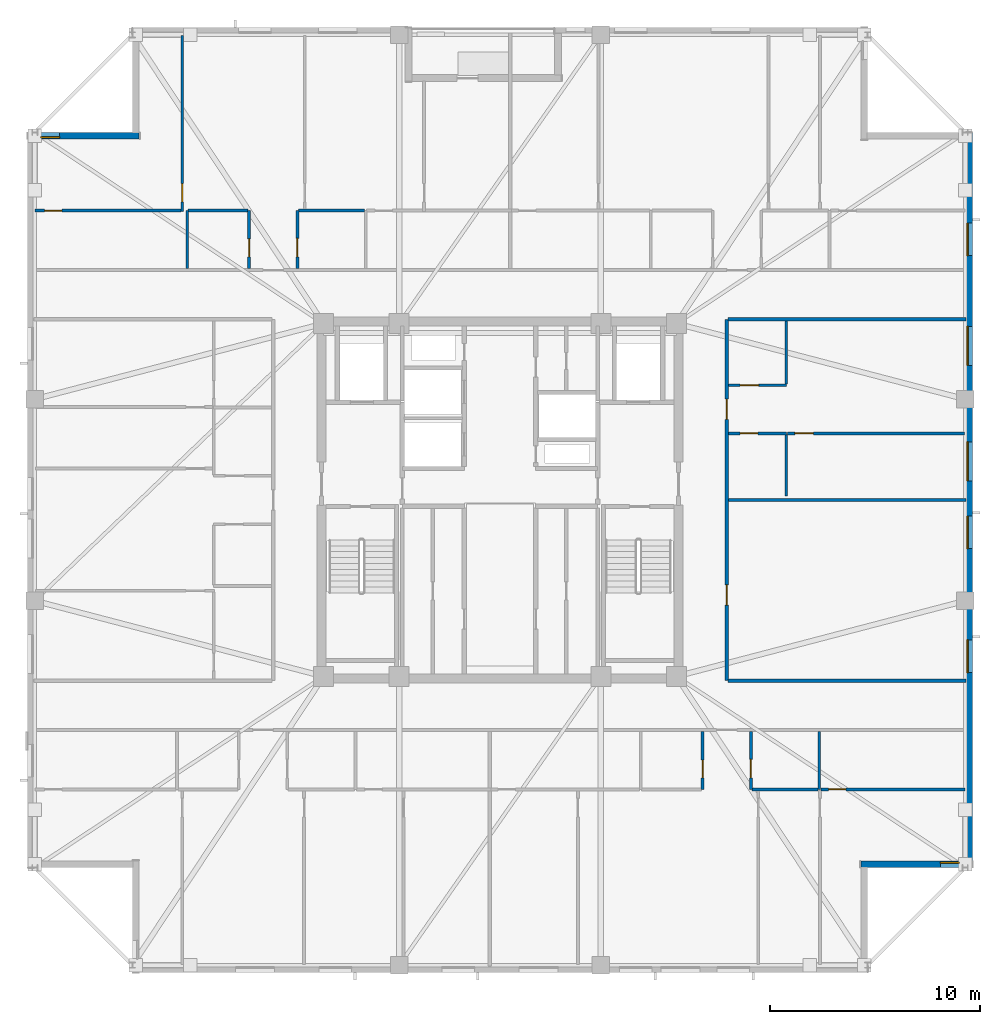
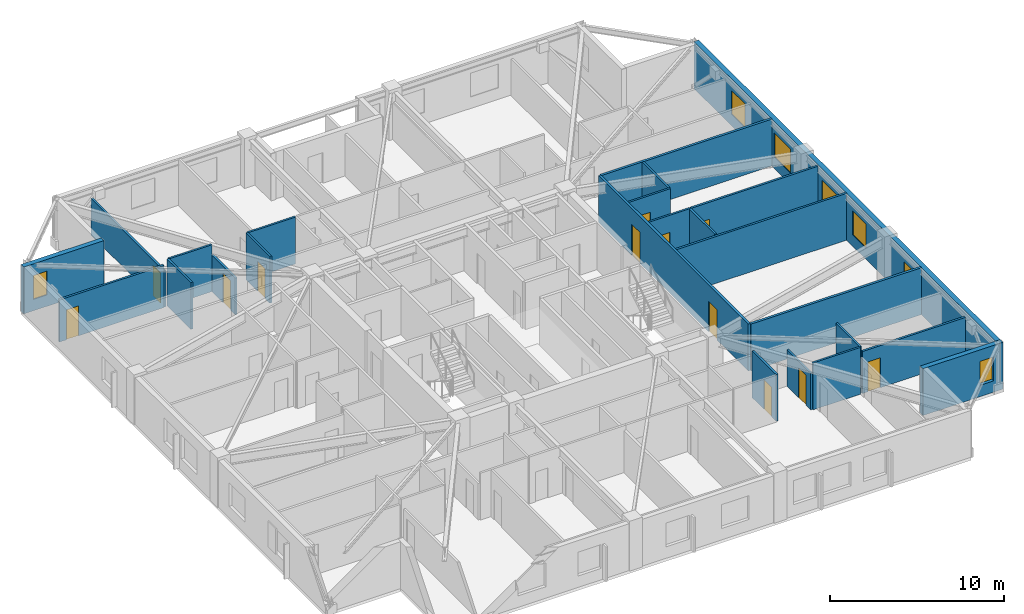
# One storey, part 10 of 17: 24 walls, 12 doors, 7 windows, 19 openings.
"""IFC4 building model written with IfcOpenShell, lengths in metres."""

import ifcopenshell
import ifcopenshell.guid

model = None  # the IFC model being written
_history = None  # IfcOwnerHistory: only IFC2X3 demands one
_inside = {}  # id of a spatial element -> (the spatial element, [elements in it])
_under = {}  # id of a project, library or spatial element -> (it, [spatial elements below it])
_declared = {}  # id of a project -> (the project, [libraries it declares])
_typed = {}  # id of a type object -> (the type object, [elements of that type])
_made_of = {}  # id of a material, layer set ... -> (it, [elements and type objects made of it])


def new_model(schema):
    """Start an empty IFC model of exactly this schema.

    Asked for "IFC4X3", IfcOpenShell would pick the latest addendum, in which some entities
    have other attributes; the version numbers below select the first issue.
    IFC2X3 requires an IfcOwnerHistory on every rooted entity: one is made here for all.
    """
    global model, _history
    if schema == "IFC4X3":
        model = ifcopenshell.file(schema_version=(4, 3, 0, 0))
    else:
        model = ifcopenshell.file(schema=schema)
    _inside.clear()
    _under.clear()
    _declared.clear()
    _typed.clear()
    _made_of.clear()
    _history = None
    if model.schema == "IFC2X3":
        org = make("IfcOrganization", Name="unknown")
        user = make(
            "IfcPersonAndOrganization",
            ThePerson=make("IfcPerson", FamilyName="unknown"),
            TheOrganization=org,
        )
        app = make(
            "IfcApplication",
            ApplicationDeveloper=org,
            Version="unknown",
            ApplicationFullName="unknown",
            ApplicationIdentifier="unknown",
        )
        _history = make(
            "IfcOwnerHistory",
            OwningUser=user,
            OwningApplication=app,
            ChangeAction="ADDED",
            CreationDate=0,
        )
    return model


def make(cls, **values):
    """One entity of the class cls with the attributes given. An attribute that is None is left unset."""
    return model.create_entity(
        cls, **{name: value for name, value in values.items() if value is not None}
    )


def rooted(cls, **values):
    """An entity with a GlobalId (a new one), such as an element, a storey or a relation."""
    return make(cls, GlobalId=ifcopenshell.guid.new(), OwnerHistory=_history, **values)


def si_unit(unit_type, name, prefix=None):
    """IfcSIUnit, for example si_unit("LENGTHUNIT", "METRE", prefix="MILLI")."""
    return make("IfcSIUnit", UnitType=unit_type, Prefix=prefix, Name=name)


def assignment(units):
    """IfcUnitAssignment: the units of a project."""
    return None if units is None else make("IfcUnitAssignment", Units=units)


def point(xyz):
    """IfcCartesianPoint."""
    return None if xyz is None else make("IfcCartesianPoint", Coordinates=xyz)


def direction(xyz):
    """IfcDirection."""
    return None if xyz is None else make("IfcDirection", DirectionRatios=xyz)


def frame(location, z_axis=None, x_axis=None):
    """IfcAxis2Placement3D, a coordinate frame: its origin and axes. An axis left out is left unset."""
    return make(
        "IfcAxis2Placement3D",
        Location=point(location),
        Axis=direction(z_axis),
        RefDirection=direction(x_axis),
    )


def frame_2d(location, x_axis=None):
    """IfcAxis2Placement2D, a coordinate frame in the plane: its origin and x axis."""
    return make(
        "IfcAxis2Placement2D", Location=point(location), RefDirection=direction(x_axis)
    )


def origin():
    """The frame at (0, 0, 0) with its axes left unset."""
    return frame((0.0, 0.0, 0.0))


def place(relative_to, where):
    """IfcLocalPlacement: puts the frame where relative to a parent placement (None: the world)."""
    return make(
        "IfcLocalPlacement", PlacementRelTo=relative_to, RelativePlacement=where
    )


def context(
    kind, dimensions, precision=None, world=None, true_north=None, identifier=None
):
    """IfcGeometricRepresentationContext, for example the 3D "Model" context."""
    return make(
        "IfcGeometricRepresentationContext",
        ContextIdentifier=identifier,
        ContextType=kind,
        CoordinateSpaceDimension=dimensions,
        Precision=precision,
        WorldCoordinateSystem=world,
        TrueNorth=true_north,
    )


def subcontext(parent, identifier, kind, view, scale=None):
    """IfcGeometricRepresentationSubContext, for example "Body" below "Model"."""
    return make(
        "IfcGeometricRepresentationSubContext",
        ContextIdentifier=identifier,
        ContextType=kind,
        ParentContext=parent,
        TargetScale=scale,
        TargetView=view,
    )


def project(units=None, contexts=None):
    """IfcProject with its units and contexts."""
    return rooted(
        "IfcProject",
        Name="project",
        RepresentationContexts=contexts,
        UnitsInContext=assignment(units),
    )


def spatial(cls, under=None, at=None, **own):
    """A site, building, storey or space (cls), placed at a placement, below another one or the project."""
    s = rooted(cls, ObjectPlacement=at, **own)
    if under is not None:
        _under.setdefault(under.id(), (under, []))[1].append(s)
    return s


def profile(cls, at=None, kind="AREA", **sizes):
    """A parametric profile (cls). Its sizes go by their IFC names, for example OverallWidth=200.0."""
    return make(cls, ProfileType=kind, Position=at, **sizes)


def rectangle(**sizes):
    """IfcRectangleProfileDef."""
    return profile("IfcRectangleProfileDef", **sizes)


def extrude(swept, where, along, depth):
    """IfcExtrudedAreaSolid: the profile swept, set in the frame where, extruded along a direction by depth."""
    return make(
        "IfcExtrudedAreaSolid",
        SweptArea=swept,
        Position=where,
        ExtrudedDirection=direction(along),
        Depth=depth,
    )


def shape(context_of_items, identifier, shape_type, items):
    """IfcShapeRepresentation: the items that make up one representation, for example the "Body"."""
    return make(
        "IfcShapeRepresentation",
        ContextOfItems=context_of_items,
        RepresentationIdentifier=identifier,
        RepresentationType=shape_type,
        Items=items,
    )


def material(Name=None, Category=None):
    """IfcMaterial."""
    return make("IfcMaterial", Name=Name, Category=Category)


def layer(
    of_material, thickness, ventilated=None, Name=None, Category=None, Priority=None
):
    """IfcMaterialLayer: one layer of a wall or slab, of a material (None: an air gap)."""
    return make(
        "IfcMaterialLayer",
        Material=of_material,
        LayerThickness=thickness,
        IsVentilated=ventilated,
        Name=Name,
        Category=Category,
        Priority=Priority,
    )


def layer_set(layers, Name=None):
    """IfcMaterialLayerSet."""
    return make("IfcMaterialLayerSet", MaterialLayers=layers, LayerSetName=Name)


def made_of(thing, what):
    """Note that an element or type object is made of a material, layer set ...; save() writes the relation."""
    if what is not None:
        _made_of.setdefault(what.id(), (what, []))[1].append(thing)
    return thing


def type_object(cls, material=None, **own):
    """A type object (cls), such as IfcWallType, which elements share."""
    return made_of(rooted(cls, **own), material)


def element(
    cls,
    number,
    at=None,
    inside=None,
    cuts=None,
    type_object=None,
    material=None,
    context=None,
    identifier="Body",
    shape_type=None,
    held_by="IfcProductDefinitionShape",
    body=None,
    shapes=None,
    **own,
):
    """One element of the class cls, such as IfcWall. Its Tag is "e" and its number.

    at: its placement. inside: the storey or other place that contains it. cuts: it is an
    opening in that element (IfcRelVoidsElement). A single representation is given by context,
    identifier, shape_type and body (its items); several are given by shapes. held_by: the class
    of the entity that holds the representations. save() writes the other relations.
    """
    e = rooted(cls, Tag="e%d" % number, ObjectPlacement=at, **own)
    if body is not None:
        shapes = [shape(context, identifier, shape_type, body)]
    if shapes is not None:
        e.Representation = make(held_by, Representations=shapes)
    if inside is not None:
        _inside.setdefault(inside.id(), (inside, []))[1].append(e)
    if cuts is not None:
        rooted(
            "IfcRelVoidsElement", RelatingBuildingElement=cuts, RelatedOpeningElement=e
        )
    if type_object is not None:
        _typed.setdefault(type_object.id(), (type_object, []))[1].append(e)
    return made_of(e, material)


def fill(opening, filler):
    """IfcRelFillsElement: the door or window that sits in an opening."""
    return rooted(
        "IfcRelFillsElement",
        RelatingOpeningElement=opening,
        RelatedBuildingElement=filler,
    )


def aggregate(whole, parts):
    """IfcRelAggregates: a whole, such as a stair, and the parts it consists of."""
    return rooted("IfcRelAggregates", RelatingObject=whole, RelatedObjects=parts)


def save(model, path):
    """Write the relations noted so far, then the file.

    IfcRelAggregates (storeys below a building ...), IfcRelContainedInSpatialStructure (elements
    in a storey), IfcRelDefinesByType, IfcRelAssociatesMaterial and IfcRelDeclares: one each for
    every whole, place, type object, material and project.
    """
    for whole, parts in _under.values():
        aggregate(whole, parts)
    for where, things in _inside.values():
        rooted(
            "IfcRelContainedInSpatialStructure",
            RelatedElements=things,
            RelatingStructure=where,
        )
    for kind, things in _typed.values():
        rooted("IfcRelDefinesByType", RelatedObjects=things, RelatingType=kind)
    for what, things in _made_of.values():
        rooted("IfcRelAssociatesMaterial", RelatedObjects=things, RelatingMaterial=what)
    for by, libraries in _declared.values():
        rooted("IfcRelDeclares", RelatingContext=by, RelatedDefinitions=libraries)
    model.write(path)


model = new_model("IFC4")

# Units and contexts
model_context = context("Model", 3, precision=1e-05, world=origin(), true_north=direction((0.0, 1.0)))
body_context = subcontext(model_context, "Body", "Model", "MODEL_VIEW")
ifc_project = project(units=[si_unit("LENGTHUNIT", "METRE"), si_unit("AREAUNIT", "SQUARE_METRE"), si_unit("VOLUMEUNIT", "CUBIC_METRE"), si_unit("PLANEANGLEUNIT", "RADIAN"), si_unit("MASSUNIT", "GRAM", prefix="KILO")], contexts=[model_context])

# Site, building, storey
site_placement = place(None, origin())
site = spatial("IfcSite", under=ifc_project, at=site_placement, CompositionType="ELEMENT")
building_placement = place(site_placement, origin())
building = spatial("IfcBuilding", under=site, at=building_placement, Name="Cairnveth Concourse Tower", CompositionType="ELEMENT")
storey_placement = place(building_placement, frame((0.0, 0.0, 206.0)))
storey = spatial("IfcBuildingStorey", under=building, at=storey_placement, Name="L56", CompositionType="ELEMENT", Elevation=206.0)

# Wall, openings, doors
ifc_material_1 = material(Name="Gypsum Plasterboard Partition", Category="gypsum")
ifc_layer_1 = layer(ifc_material_1, 0.159912109375)
ifc_layer_set_1 = layer_set([ifc_layer_1], Name="Gypsum Plasterboard Partition")
wall_type_1 = type_object("IfcWallType", Name="ACOUSTIC PARTY WALL 180", PredefinedType="PARTITIONING", material=ifc_layer_set_1)
wall_1_placement = place(storey_placement, frame((62.800048828125, 30.39990234375, 0.0), z_axis=(0.0, 0.0, 1.0), x_axis=(0.0, 1.0, 0.0)))
wall_1 = element("IfcWall", 1, at=wall_1_placement, inside=storey, type_object=wall_type_1, Name="Interior Wall IW-L56-039", PredefinedType="PARTITIONING", context=body_context, shape_type="SweptSolid", body=[
    extrude(rectangle(XDim=17.2001953125, YDim=0.159912109375, at=frame_2d((8.60009765625, 0.0))), origin(), (0.0, 0.0, 1.0), 3.2900390625),
])
opening_1_placement = place(wall_1_placement, frame((3.60009765625, 0.0, 0.0)))
opening_1 = element("IfcOpeningElement", 2, at=opening_1_placement, cuts=wall_1, Name="Opening ID11", PredefinedType="OPENING", context=body_context, shape_type="SweptSolid", body=[
    extrude(rectangle(XDim=0.9599609375, YDim=2.1201171875, at=frame_2d((0.47998046875, 1.06005859375))), frame((0.0, 0.08984375, 0.0), z_axis=(0.0, -1.0, 0.0), x_axis=(1.0, 0.0, 0.0)), (0.0, 0.0, 1.0), 0.179931640625),
])
opening_2_placement = place(wall_1_placement, frame((12.43994140625, 0.0, 0.0)))
opening_2 = element("IfcOpeningElement", 3, at=opening_2_placement, cuts=wall_1, Name="Opening ID10", PredefinedType="OPENING", context=body_context, shape_type="SweptSolid", body=[
    extrude(rectangle(XDim=0.9599609375, YDim=2.179931640625, at=frame_2d((0.47998046875, 1.08984375))), frame((0.0, 0.08984375, 0.0), z_axis=(0.0, -1.0, 0.0), x_axis=(1.0, 0.0, 0.0)), (0.0, 0.0, 1.0), 0.179931640625),
])
ifc_material_2 = material(Name="Solid Core Hardwood Timber Leaf", Category="wood")
door_type_1 = type_object("IfcDoorType", Name="FLAT ENTRANCE DOOR 960X2150", OperationType="NOTDEFINED", PredefinedType="DOOR", material=ifc_material_2)
door_1_placement = place(opening_2_placement, origin())
door_1 = element("IfcDoor", 4, at=door_1_placement, inside=storey, type_object=door_type_1, Name="Apartment L56E1 Entrance Door", OperationType="SINGLE_SWING_LEFT", OverallHeight=2.179931640625, OverallWidth=0.9599609375, PredefinedType="DOOR", context=body_context, shape_type="SweptSolid", body=[
    extrude(rectangle(XDim=0.9599609375, YDim=2.179931640625, at=frame_2d((0.47998046875, 1.08984375))), frame((0.0, 0.02490234375, 0.0), z_axis=(0.0, -1.0, 0.0), x_axis=(1.0, 0.0, 0.0)), (0.0, 0.0, 1.0), 0.050048828125),
])
fill(opening_2, door_1)
door_type_2 = type_object("IfcDoorType", Name="INTERIOR SINGLE DOOR 960X2150", OperationType="NOTDEFINED", PredefinedType="DOOR", material=ifc_material_2)
door_2_placement = place(opening_1_placement, origin())
door_2 = element("IfcDoor", 5, at=door_2_placement, inside=storey, type_object=door_type_2, Name="Interior Door DR-L56-057", OperationType="SINGLE_SWING_LEFT", OverallHeight=2.1201171875, OverallWidth=0.9599609375, PredefinedType="DOOR", context=body_context, shape_type="SweptSolid", body=[
    extrude(rectangle(XDim=0.9599609375, YDim=2.1201171875, at=frame_2d((0.47998046875, 1.06005859375))), frame((0.0, 0.02490234375, 0.0), z_axis=(0.0, -1.0, 0.0), x_axis=(1.0, 0.0, 0.0)), (0.0, 0.0, 1.0), 0.050048828125),
])
fill(opening_1, door_2)

# Walls
for number, where, z_axis, x_axis, name in (
    (6, (62.864990234375, 30.39990234375, 0.0), (0.0, 0.0, 1.0), (1.0, 0.0, 0.0), "Interior Wall IW-L56-042"),
    (7, (62.864990234375, 47.60009765625, 0.0), (0.0, 0.0, 1.0), (1.0, 0.0, 0.0), "Interior Wall IW-L56-043"),
):
    element("IfcWall", number, at=place(storey_placement, frame(where, z_axis=z_axis, x_axis=x_axis)), inside=storey, type_object=wall_type_1, Name=name, PredefinedType="PARTITIONING", context=body_context, shape_type="SweptSolid", body=[
        extrude(rectangle(XDim=11.330078125, YDim=0.159912109375, at=frame_2d((5.6650390625, 0.0))), origin(), (0.0, 0.0, 1.0), 3.2900390625),
    ])

# Wall, opening, door
ifc_layer_2 = layer(ifc_material_1, 0.139892578125)
ifc_layer_set_2 = layer_set([ifc_layer_2], Name="Gypsum Plasterboard Partition")
wall_type_2 = type_object("IfcWallType", Name="GYPSUM STUD PARTITION 140", PredefinedType="PARTITIONING", material=ifc_layer_set_2)
wall_2_placement = place(storey_placement, frame((67.284912109375, 25.219970703125, 0.0), z_axis=(0.0, 0.0, 1.0), x_axis=(1.0, 0.0, 0.0)))
wall_2 = element("IfcWall", 8, at=wall_2_placement, inside=storey, type_object=wall_type_2, Name="Interior Wall IW-L56-065", PredefinedType="PARTITIONING", context=body_context, shape_type="SweptSolid", body=[
    extrude(rectangle(XDim=6.844970703125, YDim=0.139892578125, at=frame_2d((3.42236328125, 0.0))), origin(), (0.0, 0.0, 1.0), 2.9580078125),
])
opening_3_placement = place(wall_2_placement, frame((0.361083984375, 0.0, 0.0)))
opening_3 = element("IfcOpeningElement", 9, at=opening_3_placement, cuts=wall_2, Name="Opening ID22", PredefinedType="OPENING", context=body_context, shape_type="SweptSolid", body=[
    extrude(rectangle(XDim=0.820068359375, YDim=2.10009765625, at=frame_2d((0.41015625, 1.050048828125))), frame((0.0, 0.079833984375, 0.0), z_axis=(0.0, -1.0, 0.0), x_axis=(1.0, 0.0, 0.0)), (0.0, 0.0, 1.0), 0.159912109375),
])
door_type_3 = type_object("IfcDoorType", Name="INTERIOR WC DOOR 820X2100", OperationType="NOTDEFINED", PredefinedType="DOOR", material=ifc_material_2)
door_3_placement = place(opening_3_placement, origin())
door_3 = element("IfcDoor", 10, at=door_3_placement, inside=storey, type_object=door_type_3, Name="L56S2 Utility Door", OperationType="SINGLE_SWING_LEFT", OverallHeight=2.10009765625, OverallWidth=0.820068359375, PredefinedType="DOOR", context=body_context, shape_type="SweptSolid", body=[
    extrude(rectangle(XDim=0.820068359375, YDim=2.10009765625, at=frame_2d((0.41015625, 1.050048828125))), frame((0.0, 0.02490234375, 0.0), z_axis=(0.0, -1.0, 0.0), x_axis=(1.0, 0.0, 0.0)), (0.0, 0.0, 1.0), 0.050048828125),
])
fill(opening_3, door_3)

wall_3_placement = place(storey_placement, frame((36.8701171875, 52.739990234375, 0.0), z_axis=(0.0, 0.0, 1.0), x_axis=(0.0, 1.0, 0.0)))
wall_3 = element("IfcWall", 11, at=wall_3_placement, inside=storey, type_object=wall_type_2, Name="Interior Wall IW-L56-073", PredefinedType="PARTITIONING", context=body_context, shape_type="SweptSolid", body=[
    extrude(rectangle(XDim=8.380126953125, YDim=0.139892578125, at=frame_2d((4.18994140625, 0.0))), origin(), (0.0, 0.0, 1.0), 2.572998046875),
])
opening_4_placement = place(wall_3_placement, frame((0.449951171875, 0.0, 0.0)))
opening_4 = element("IfcOpeningElement", 12, at=opening_4_placement, cuts=wall_3, Name="Opening ID18", PredefinedType="OPENING", context=body_context, shape_type="SweptSolid", body=[
    extrude(rectangle(XDim=0.8798828125, YDim=2.10009765625, at=frame_2d((0.43994140625, 1.050048828125))), frame((0.0, 0.079833984375, 0.0), z_axis=(0.0, -1.0, 0.0), x_axis=(1.0, 0.0, 0.0)), (0.0, 0.0, 1.0), 0.159912109375),
])
door_type_4 = type_object("IfcDoorType", Name="INTERIOR SINGLE DOOR 880X2100", OperationType="NOTDEFINED", PredefinedType="DOOR", material=ifc_material_2)
door_4_placement = place(opening_4_placement, origin())
door_4 = element("IfcDoor", 13, at=door_4_placement, inside=storey, type_object=door_type_4, Name="L56N1 Master Bedroom Door", OperationType="SINGLE_SWING_RIGHT", OverallHeight=2.10009765625, OverallWidth=0.8798828125, PredefinedType="DOOR", context=body_context, shape_type="SweptSolid", body=[
    extrude(rectangle(XDim=0.8798828125, YDim=2.10009765625, at=frame_2d((0.43994140625, 1.050048828125))), frame((0.0, 0.02490234375, 0.0), z_axis=(0.0, -1.0, 0.0), x_axis=(1.0, 0.0, 0.0)), (0.0, 0.0, 1.0), 0.050048828125),
])
fill(opening_4, door_4)

wall_4_placement = place(storey_placement, frame((29.8701171875, 52.780029296875, 0.0), z_axis=(0.0, 0.0, 1.0), x_axis=(1.0, 0.0, 0.0)))
wall_4 = element("IfcWall", 14, at=wall_4_placement, inside=storey, type_object=wall_type_2, Name="Interior Wall IW-L56-074", PredefinedType="PARTITIONING", context=body_context, shape_type="SweptSolid", body=[
    extrude(rectangle(XDim=6.94482421875, YDim=0.139892578125, at=frame_2d((3.472412109375, 0.0))), origin(), (0.0, 0.0, 1.0), 2.9580078125),
])
opening_5_placement = place(wall_4_placement, frame((0.449951171875, 0.0, 0.0)))
opening_5 = element("IfcOpeningElement", 15, at=opening_5_placement, cuts=wall_4, Name="Opening ID22", PredefinedType="OPENING", context=body_context, shape_type="SweptSolid", body=[
    extrude(rectangle(XDim=0.820068359375, YDim=2.10009765625, at=frame_2d((0.41015625, 1.050048828125))), frame((0.0, 0.079833984375, 0.0), z_axis=(0.0, -1.0, 0.0), x_axis=(1.0, 0.0, 0.0)), (0.0, 0.0, 1.0), 0.159912109375),
])
door_5_placement = place(opening_5_placement, origin())
door_5 = element("IfcDoor", 16, at=door_5_placement, inside=storey, type_object=door_type_3, Name="L56N1 Dressing Door", OperationType="SINGLE_SWING_LEFT", OverallHeight=2.10009765625, OverallWidth=0.820068359375, PredefinedType="DOOR", context=body_context, shape_type="SweptSolid", body=[
    extrude(rectangle(XDim=0.820068359375, YDim=2.10009765625, at=frame_2d((0.41015625, 1.050048828125))), frame((0.0, 0.02490234375, 0.0), z_axis=(0.0, -1.0, 0.0), x_axis=(1.0, 0.0, 0.0)), (0.0, 0.0, 1.0), 0.050048828125),
])
fill(opening_5, door_5)

# Wall
wall_5_placement = place(storey_placement, frame((62.8798828125, 39.0, 0.0), z_axis=(0.0, 0.0, 1.0), x_axis=(1.0, 0.0, 0.0)))
element("IfcWall", 17, at=wall_5_placement, inside=storey, type_object=wall_type_2, Name="Interior Wall IW-L56-101", PredefinedType="PARTITIONING", context=body_context, shape_type="SweptSolid", body=[
    extrude(rectangle(XDim=11.315185546875, YDim=0.139892578125, at=frame_2d((5.65771484375, 0.0))), origin(), (0.0, 0.0, 1.0), 3.2900390625),
])

# Wall, opening, door
wall_6_placement = place(storey_placement, frame((65.679931640625, 42.169921875, 0.0), z_axis=(0.0, 0.0, 1.0), x_axis=(1.0, 0.0, 0.0)))
wall_6 = element("IfcWall", 18, at=wall_6_placement, inside=storey, type_object=wall_type_2, Name="Interior Wall IW-L56-106", PredefinedType="PARTITIONING", context=body_context, shape_type="SweptSolid", body=[
    extrude(rectangle(XDim=8.440185546875, YDim=0.139892578125, at=frame_2d((4.22021484375, 0.0))), origin(), (0.0, 0.0, 1.0), 3.2900390625),
])
opening_6_placement = place(wall_6_placement, frame((0.360107421875, 0.0, 0.0)))
opening_6 = element("IfcOpeningElement", 19, at=opening_6_placement, cuts=wall_6, Name="Opening ID18", PredefinedType="OPENING", context=body_context, shape_type="SweptSolid", body=[
    extrude(rectangle(XDim=0.8798828125, YDim=2.10009765625, at=frame_2d((0.43994140625, 1.050048828125))), frame((0.0, 0.079833984375, 0.0), z_axis=(0.0, -1.0, 0.0), x_axis=(1.0, 0.0, 0.0)), (0.0, 0.0, 1.0), 0.159912109375),
])
door_6_placement = place(opening_6_placement, origin())
door_6 = element("IfcDoor", 20, at=door_6_placement, inside=storey, type_object=door_type_4, Name="L56E1 Master Bedroom Door", OperationType="SINGLE_SWING_RIGHT", OverallHeight=2.10009765625, OverallWidth=0.8798828125, PredefinedType="DOOR", context=body_context, shape_type="SweptSolid", body=[
    extrude(rectangle(XDim=0.8798828125, YDim=2.10009765625, at=frame_2d((0.43994140625, 1.050048828125))), frame((0.0, 0.02490234375, 0.0), z_axis=(0.0, -1.0, 0.0), x_axis=(1.0, 0.0, 0.0)), (0.0, 0.0, 1.0), 0.050048828125),
])
fill(opening_6, door_6)

ifc_layer_3 = layer(ifc_material_1, 0.1298828125)
ifc_layer_set_3 = layer_set([ifc_layer_3], Name="Gypsum Plasterboard Partition")
wall_type_3 = type_object("IfcWallType", Name="WET AREA PARTITION 140", PredefinedType="PLUMBINGWALL", material=ifc_layer_set_3)
wall_7_placement = place(storey_placement, frame((61.646240234375, 25.219970703125, 0.0), z_axis=(0.0, 0.0, 1.0), x_axis=(0.0, 1.0, 0.0)))
wall_7 = element("IfcWall", 21, at=wall_7_placement, inside=storey, type_object=wall_type_3, Name="Interior Wall IW-L56-057", PredefinedType="PLUMBINGWALL", context=body_context, shape_type="SweptSolid", body=[
    extrude(rectangle(XDim=2.75, YDim=0.1298828125, at=frame_2d((1.375, 0.0))), origin(), (0.0, 0.0, 1.0), 3.2900390625),
])
opening_7_placement = place(wall_7_placement, frame((0.550048828125, 0.0, 0.0)))
opening_7 = element("IfcOpeningElement", 22, at=opening_7_placement, cuts=wall_7, Name="Opening ID21", PredefinedType="OPENING", context=body_context, shape_type="SweptSolid", body=[
    extrude(rectangle(XDim=0.85009765625, YDim=2.080078125, at=frame_2d((0.425048828125, 1.0400390625))), frame((0.0, 0.074951171875, 0.0), z_axis=(0.0, -1.0, 0.0), x_axis=(1.0, 0.0, 0.0)), (0.0, 0.0, 1.0), 0.14990234375),
])
door_type_5 = type_object("IfcDoorType", Name="INTERIOR WC DOOR 850X2100", OperationType="NOTDEFINED", PredefinedType="DOOR", material=ifc_material_2)
door_7_placement = place(opening_7_placement, origin())
door_7 = element("IfcDoor", 23, at=door_7_placement, inside=storey, type_object=door_type_5, Name="L56S2 Bathroom Door", OperationType="SINGLE_SWING_LEFT", OverallHeight=2.080078125, OverallWidth=0.85009765625, PredefinedType="DOOR", context=body_context, shape_type="SweptSolid", body=[
    extrude(rectangle(XDim=0.85009765625, YDim=2.080078125, at=frame_2d((0.425048828125, 1.0400390625))), frame((0.0, 0.02490234375, 0.0), z_axis=(0.0, -1.0, 0.0), x_axis=(1.0, 0.0, 0.0)), (0.0, 0.0, 1.0), 0.050048828125),
])
fill(opening_7, door_7)

# Wall
wall_8_placement = place(storey_placement, frame((67.1962890625, 25.219970703125, 0.0), z_axis=(0.0, 0.0, 1.0), x_axis=(0.0, 1.0, 0.0)))
element("IfcWall", 24, at=wall_8_placement, inside=storey, type_object=wall_type_3, Name="Interior Wall IW-L56-059", PredefinedType="PLUMBINGWALL", context=body_context, shape_type="SweptSolid", body=[
    extrude(rectangle(XDim=2.75, YDim=0.1298828125, at=frame_2d((1.375, 0.0))), origin(), (0.0, 0.0, 1.0), 3.2900390625),
])

# Wall, opening, door
wall_9_placement = place(storey_placement, frame((63.9462890625, 25.219970703125, 0.0), z_axis=(0.0, 0.0, 1.0), x_axis=(0.0, 1.0, 0.0)))
wall_9 = element("IfcWall", 25, at=wall_9_placement, inside=storey, type_object=wall_type_3, Name="Interior Wall IW-L56-060", PredefinedType="PLUMBINGWALL", context=body_context, shape_type="SweptSolid", body=[
    extrude(rectangle(XDim=2.75, YDim=0.1298828125, at=frame_2d((1.375, 0.0))), origin(), (0.0, 0.0, 1.0), 2.572998046875),
])
opening_8_placement = place(wall_9_placement, frame((0.550048828125, 0.0, 0.0)))
opening_8 = element("IfcOpeningElement", 26, at=opening_8_placement, cuts=wall_9, Name="Opening ID18", PredefinedType="OPENING", context=body_context, shape_type="SweptSolid", body=[
    extrude(rectangle(XDim=0.8798828125, YDim=2.10009765625, at=frame_2d((0.43994140625, 1.050048828125))), frame((0.0, 0.074951171875, 0.0), z_axis=(0.0, -1.0, 0.0), x_axis=(1.0, 0.0, 0.0)), (0.0, 0.0, 1.0), 0.14990234375),
])
door_8_placement = place(opening_8_placement, origin())
door_8 = element("IfcDoor", 27, at=door_8_placement, inside=storey, type_object=door_type_4, Name="L56S2 Kitchen Door", OperationType="SINGLE_SWING_RIGHT", OverallHeight=2.10009765625, OverallWidth=0.8798828125, PredefinedType="DOOR", context=body_context, shape_type="SweptSolid", body=[
    extrude(rectangle(XDim=0.8798828125, YDim=2.10009765625, at=frame_2d((0.43994140625, 1.050048828125))), frame((0.0, 0.02490234375, 0.0), z_axis=(0.0, -1.0, 0.0), x_axis=(1.0, 0.0, 0.0)), (0.0, 0.0, 1.0), 0.050048828125),
])
fill(opening_8, door_8)

# Walls
wall_10_placement = place(storey_placement, frame((63.99609375, 25.219970703125, 0.0), z_axis=(0.0, 0.0, 1.0), x_axis=(1.0, 0.0, 0.0)))
element("IfcWall", 28, at=wall_10_placement, inside=storey, type_object=wall_type_3, Name="Interior Wall IW-L56-061", PredefinedType="PLUMBINGWALL", context=body_context, shape_type="SweptSolid", body=[
    extrude(rectangle(XDim=3.150146484375, YDim=0.1298828125, at=frame_2d((1.5751953125, 0.0))), origin(), (0.0, 0.0, 1.0), 3.2900390625),
])
wall_11_placement = place(storey_placement, frame((37.103759765625, 50.030029296875, 0.0), z_axis=(0.0, 0.0, 1.0), x_axis=(0.0, 1.0, 0.0)))
element("IfcWall", 29, at=wall_11_placement, inside=storey, type_object=wall_type_3, Name="Interior Wall IW-L56-067", PredefinedType="PLUMBINGWALL", context=body_context, shape_type="SweptSolid", body=[
    extrude(rectangle(XDim=2.75, YDim=0.1298828125, at=frame_2d((1.375, 0.0))), origin(), (0.0, 0.0, 1.0), 3.2900390625),
])

# Wall, opening, door
wall_12_placement = place(storey_placement, frame((40.0537109375, 50.030029296875, 0.0), z_axis=(0.0, 0.0, 1.0), x_axis=(0.0, 1.0, 0.0)))
wall_12 = element("IfcWall", 30, at=wall_12_placement, inside=storey, type_object=wall_type_3, Name="Interior Wall IW-L56-068", PredefinedType="PLUMBINGWALL", context=body_context, shape_type="SweptSolid", body=[
    extrude(rectangle(XDim=2.75, YDim=0.1298828125, at=frame_2d((1.375, 0.0))), origin(), (0.0, 0.0, 1.0), 2.572998046875),
])
opening_9_placement = place(wall_12_placement, frame((0.550048828125, 0.0, 0.0)))
opening_9 = element("IfcOpeningElement", 31, at=opening_9_placement, cuts=wall_12, Name="Opening ID21", PredefinedType="OPENING", context=body_context, shape_type="SweptSolid", body=[
    extrude(rectangle(XDim=0.85009765625, YDim=2.080078125, at=frame_2d((0.425048828125, 1.0400390625))), frame((0.0, 0.074951171875, 0.0), z_axis=(0.0, -1.0, 0.0), x_axis=(1.0, 0.0, 0.0)), (0.0, 0.0, 1.0), 0.14990234375),
])
door_9_placement = place(opening_9_placement, origin())
door_9 = element("IfcDoor", 32, at=door_9_placement, inside=storey, type_object=door_type_5, Name="L56N1 Bathroom Door", OperationType="SINGLE_SWING_LEFT", OverallHeight=2.080078125, OverallWidth=0.85009765625, PredefinedType="DOOR", context=body_context, shape_type="SweptSolid", body=[
    extrude(rectangle(XDim=0.85009765625, YDim=2.080078125, at=frame_2d((0.425048828125, 1.0400390625))), frame((0.0, 0.02490234375, 0.0), z_axis=(0.0, -1.0, 0.0), x_axis=(1.0, 0.0, 0.0)), (0.0, 0.0, 1.0), 0.050048828125),
])
fill(opening_9, door_9)

# Wall
wall_13_placement = place(storey_placement, frame((37.15380859375, 52.780029296875, 0.0), z_axis=(0.0, 0.0, 1.0), x_axis=(1.0, 0.0, 0.0)))
element("IfcWall", 33, at=wall_13_placement, inside=storey, type_object=wall_type_3, Name="Interior Wall IW-L56-069", PredefinedType="PLUMBINGWALL", context=body_context, shape_type="SweptSolid", body=[
    extrude(rectangle(XDim=2.85009765625, YDim=0.1298828125, at=frame_2d((1.425048828125, 0.0))), origin(), (0.0, 0.0, 1.0), 3.2900390625),
])

# Wall, opening, door
wall_14_placement = place(storey_placement, frame((42.353759765625, 50.030029296875, 0.0), z_axis=(0.0, 0.0, 1.0), x_axis=(0.0, 1.0, 0.0)))
wall_14 = element("IfcWall", 34, at=wall_14_placement, inside=storey, type_object=wall_type_3, Name="Interior Wall IW-L56-071", PredefinedType="PLUMBINGWALL", context=body_context, shape_type="SweptSolid", body=[
    extrude(rectangle(XDim=2.75, YDim=0.1298828125, at=frame_2d((1.375, 0.0))), origin(), (0.0, 0.0, 1.0), 3.2900390625),
])
opening_10_placement = place(wall_14_placement, frame((0.550048828125, 0.0, 0.0)))
opening_10 = element("IfcOpeningElement", 35, at=opening_10_placement, cuts=wall_14, Name="Opening ID18", PredefinedType="OPENING", context=body_context, shape_type="SweptSolid", body=[
    extrude(rectangle(XDim=0.8798828125, YDim=2.10009765625, at=frame_2d((0.43994140625, 1.050048828125))), frame((0.0, 0.074951171875, 0.0), z_axis=(0.0, -1.0, 0.0), x_axis=(1.0, 0.0, 0.0)), (0.0, 0.0, 1.0), 0.14990234375),
])
door_10_placement = place(opening_10_placement, origin())
door_10 = element("IfcDoor", 36, at=door_10_placement, inside=storey, type_object=door_type_4, Name="L56N1 Kitchen Door", OperationType="SINGLE_SWING_RIGHT", OverallHeight=2.10009765625, OverallWidth=0.8798828125, PredefinedType="DOOR", context=body_context, shape_type="SweptSolid", body=[
    extrude(rectangle(XDim=0.8798828125, YDim=2.10009765625, at=frame_2d((0.43994140625, 1.050048828125))), frame((0.0, 0.02490234375, 0.0), z_axis=(0.0, -1.0, 0.0), x_axis=(1.0, 0.0, 0.0)), (0.0, 0.0, 1.0), 0.050048828125),
])
fill(opening_10, door_10)

# Wall
wall_15_placement = place(storey_placement, frame((42.40380859375, 52.780029296875, 0.0), z_axis=(0.0, 0.0, 1.0), x_axis=(1.0, 0.0, 0.0)))
element("IfcWall", 37, at=wall_15_placement, inside=storey, type_object=wall_type_3, Name="Interior Wall IW-L56-072", PredefinedType="PLUMBINGWALL", context=body_context, shape_type="SweptSolid", body=[
    extrude(rectangle(XDim=3.14990234375, YDim=0.1298828125, at=frame_2d((1.574951171875, 0.0))), origin(), (0.0, 0.0, 1.0), 3.2900390625),
])

# Wall, opening, door
wall_16_placement = place(storey_placement, frame((62.8798828125, 42.169921875, 0.0), z_axis=(0.0, 0.0, 1.0), x_axis=(1.0, 0.0, 0.0)))
wall_16 = element("IfcWall", 38, at=wall_16_placement, inside=storey, type_object=wall_type_3, Name="Interior Wall IW-L56-102", PredefinedType="PLUMBINGWALL", context=body_context, shape_type="SweptSolid", body=[
    extrude(rectangle(XDim=2.75, YDim=0.1298828125, at=frame_2d((1.375, 0.0))), origin(), (0.0, 0.0, 1.0), 3.2900390625),
])
opening_11_placement = place(wall_16_placement, frame((0.550048828125, 0.0, 0.0)))
opening_11 = element("IfcOpeningElement", 39, at=opening_11_placement, cuts=wall_16, Name="Opening ID21", PredefinedType="OPENING", context=body_context, shape_type="SweptSolid", body=[
    extrude(rectangle(XDim=0.85009765625, YDim=2.080078125, at=frame_2d((0.425048828125, 1.0400390625))), frame((0.0, 0.074951171875, 0.0), z_axis=(0.0, -1.0, 0.0), x_axis=(1.0, 0.0, 0.0)), (0.0, 0.0, 1.0), 0.14990234375),
])
door_11_placement = place(opening_11_placement, origin())
door_11 = element("IfcDoor", 40, at=door_11_placement, inside=storey, type_object=door_type_5, Name="L56E1 Bathroom Door", OperationType="SINGLE_SWING_RIGHT", OverallHeight=2.080078125, OverallWidth=0.85009765625, PredefinedType="DOOR", context=body_context, shape_type="SweptSolid", body=[
    extrude(rectangle(XDim=0.85009765625, YDim=2.080078125, at=frame_2d((0.425048828125, 1.0400390625))), frame((0.0, 0.02490234375, 0.0), z_axis=(0.0, -1.0, 0.0), x_axis=(1.0, 0.0, 0.0)), (0.0, 0.0, 1.0), 0.050048828125),
])
fill(opening_11, door_11)

# Wall
wall_17_placement = place(storey_placement, frame((65.6298828125, 39.179931640625, 0.0), z_axis=(0.0, 0.0, 1.0), x_axis=(0.0, 1.0, 0.0)))
element("IfcWall", 41, at=wall_17_placement, inside=storey, type_object=wall_type_3, Name="Interior Wall IW-L56-103", PredefinedType="PLUMBINGWALL", context=body_context, shape_type="SweptSolid", body=[
    extrude(rectangle(XDim=2.940185546875, YDim=0.1298828125, at=frame_2d((1.47021484375, 0.0))), origin(), (0.0, 0.0, 1.0), 3.2900390625),
])

# Wall, opening, door
wall_18_placement = place(storey_placement, frame((62.8798828125, 44.469970703125, 0.0), z_axis=(0.0, 0.0, 1.0), x_axis=(1.0, 0.0, 0.0)))
wall_18 = element("IfcWall", 42, at=wall_18_placement, inside=storey, type_object=wall_type_3, Name="Interior Wall IW-L56-104", PredefinedType="PLUMBINGWALL", context=body_context, shape_type="SweptSolid", body=[
    extrude(rectangle(XDim=2.75, YDim=0.1298828125, at=frame_2d((1.375, 0.0))), origin(), (0.0, 0.0, 1.0), 3.2900390625),
])
opening_12_placement = place(wall_18_placement, frame((0.550048828125, 0.0, 0.0)))
opening_12 = element("IfcOpeningElement", 43, at=opening_12_placement, cuts=wall_18, Name="Opening ID18", PredefinedType="OPENING", context=body_context, shape_type="SweptSolid", body=[
    extrude(rectangle(XDim=0.8798828125, YDim=2.10009765625, at=frame_2d((0.43994140625, 1.050048828125))), frame((0.0, 0.074951171875, 0.0), z_axis=(0.0, -1.0, 0.0), x_axis=(1.0, 0.0, 0.0)), (0.0, 0.0, 1.0), 0.14990234375),
])
door_12_placement = place(opening_12_placement, origin())
door_12 = element("IfcDoor", 44, at=door_12_placement, inside=storey, type_object=door_type_4, Name="L56E1 Kitchen Door", OperationType="SINGLE_SWING_LEFT", OverallHeight=2.10009765625, OverallWidth=0.8798828125, PredefinedType="DOOR", context=body_context, shape_type="SweptSolid", body=[
    extrude(rectangle(XDim=0.8798828125, YDim=2.10009765625, at=frame_2d((0.43994140625, 1.050048828125))), frame((0.0, 0.02490234375, 0.0), z_axis=(0.0, -1.0, 0.0), x_axis=(1.0, 0.0, 0.0)), (0.0, 0.0, 1.0), 0.050048828125),
])
fill(opening_12, door_12)

# Wall
wall_19_placement = place(storey_placement, frame((65.6298828125, 44.52001953125, 0.0), z_axis=(0.0, 0.0, 1.0), x_axis=(0.0, 1.0, 0.0)))
element("IfcWall", 45, at=wall_19_placement, inside=storey, type_object=wall_type_3, Name="Interior Wall IW-L56-105", PredefinedType="PLUMBINGWALL", context=body_context, shape_type="SweptSolid", body=[
    extrude(rectangle(XDim=3.014892578125, YDim=0.1298828125, at=frame_2d((1.50732421875, 0.0))), origin(), (0.0, 0.0, 1.0), 3.2900390625),
])

# Wall, openings, windows
ifc_material_3 = material(Name="Melbourne Buff Fired Clay Brick Masonry", Category="masonry")
ifc_layer_4 = layer(ifc_material_3, 0.320068359375)
ifc_layer_set_4 = layer_set([ifc_layer_4], Name="Melbourne Buff Fired Clay Brick Masonry")
wall_type_4 = type_object("IfcWallType", Name="ZONE 3 BRICK PIER SPANDREL WALL 320", PredefinedType="SOLIDWALL", material=ifc_layer_set_4)
wall_20_placement = place(storey_placement, frame((74.340087890625, 56.5, 0.0), z_axis=(0.0, 0.0, 1.0), x_axis=(0.0, -1.0, 0.0)))
wall_20 = element("IfcWall", 46, at=wall_20_placement, inside=storey, type_object=wall_type_4, Name="Exterior Wall EW-L56-S03", PredefinedType="SOLIDWALL", context=body_context, shape_type="SweptSolid", body=[
    extrude(rectangle(XDim=34.701904296875, YDim=0.320068359375, at=frame_2d((17.35107421875, 0.0))), origin(), (0.0, 0.0, 1.0), 3.2900390625),
])
opening_13_placement = place(wall_20_placement, frame((4.3125, 0.0, 0.800048828125)))
opening_13 = element("IfcOpeningElement", 47, at=opening_13_placement, cuts=wall_20, Name="Opening W07", PredefinedType="OPENING", context=body_context, shape_type="SweptSolid", body=[
    extrude(rectangle(XDim=1.550048828125, YDim=1.677978515625, at=frame_2d((0.77490234375, 0.8388671875))), frame((0.0, 0.169921875, 0.0), z_axis=(0.0, -1.0, 0.0), x_axis=(1.0, 0.0, 0.0)), (0.0, 0.0, 1.0), 0.340087890625),
])
opening_14_placement = place(wall_20_placement, frame((9.23779296875, 0.0, 0.800048828125)))
opening_14 = element("IfcOpeningElement", 48, at=opening_14_placement, cuts=wall_20, Name="Opening W08", PredefinedType="OPENING", context=body_context, shape_type="SweptSolid", body=[
    extrude(rectangle(XDim=1.85009765625, YDim=1.677978515625, at=frame_2d((0.925048828125, 0.8388671875))), frame((0.0, 0.169921875, 0.0), z_axis=(0.0, -1.0, 0.0), x_axis=(1.0, 0.0, 0.0)), (0.0, 0.0, 1.0), 0.340087890625),
])
opening_15_placement = place(wall_20_placement, frame((14.73828125, 0.0, 0.800048828125)))
opening_15 = element("IfcOpeningElement", 49, at=opening_15_placement, cuts=wall_20, Name="Opening W08", PredefinedType="OPENING", context=body_context, shape_type="SweptSolid", body=[
    extrude(rectangle(XDim=1.85009765625, YDim=1.677978515625, at=frame_2d((0.925048828125, 0.8388671875))), frame((0.0, 0.169921875, 0.0), z_axis=(0.0, -1.0, 0.0), x_axis=(1.0, 0.0, 0.0)), (0.0, 0.0, 1.0), 0.340087890625),
])
opening_16_placement = place(wall_20_placement, frame((18.263671875, 0.0, 0.800048828125)))
opening_16 = element("IfcOpeningElement", 50, at=opening_16_placement, cuts=wall_20, Name="Opening W07", PredefinedType="OPENING", context=body_context, shape_type="SweptSolid", body=[
    extrude(rectangle(XDim=1.550048828125, YDim=1.677978515625, at=frame_2d((0.77490234375, 0.8388671875))), frame((0.0, 0.169921875, 0.0), z_axis=(0.0, -1.0, 0.0), x_axis=(1.0, 0.0, 0.0)), (0.0, 0.0, 1.0), 0.340087890625),
])
opening_17_placement = place(wall_20_placement, frame((24.1640625, 0.0, 0.800048828125)))
opening_17 = element("IfcOpeningElement", 51, at=opening_17_placement, cuts=wall_20, Name="Opening W07", PredefinedType="OPENING", context=body_context, shape_type="SweptSolid", body=[
    extrude(rectangle(XDim=1.550048828125, YDim=1.677978515625, at=frame_2d((0.77490234375, 0.8388671875))), frame((0.0, 0.169921875, 0.0), z_axis=(0.0, -1.0, 0.0), x_axis=(1.0, 0.0, 0.0)), (0.0, 0.0, 1.0), 0.340087890625),
])
ifc_material_4 = material(Name="Double Glazed Low-E Clear Glass", Category="glass")
window_type_1 = type_object("IfcWindowType", Name="DEEP-SET APARTMENT LIVING WINDOW 1850X1850", PartitioningType="DOUBLE_PANEL_VERTICAL", PredefinedType="WINDOW", material=ifc_material_4)
window_1_placement = place(opening_14_placement, origin())
window_1 = element("IfcWindow", 52, at=window_1_placement, inside=storey, type_object=window_type_1, Name="Gothic Lancet Window L56-3-2", OverallHeight=1.677978515625, OverallWidth=1.85009765625, PartitioningType="SINGLE_PANEL", PredefinedType="WINDOW", context=body_context, shape_type="SweptSolid", body=[
    extrude(rectangle(XDim=1.85009765625, YDim=1.677978515625, at=frame_2d((0.925048828125, 0.8388671875))), frame((0.0, -0.050048828125, 0.0), z_axis=(0.0, -1.0, 0.0), x_axis=(1.0, 0.0, 0.0)), (0.0, 0.0, 1.0), 0.06005859375),
])
fill(opening_14, window_1)
window_2_placement = place(opening_15_placement, origin())
window_2 = element("IfcWindow", 53, at=window_2_placement, inside=storey, type_object=window_type_1, Name="Gothic Lancet Window L56-3-4", OverallHeight=1.677978515625, OverallWidth=1.85009765625, PartitioningType="SINGLE_PANEL", PredefinedType="WINDOW", context=body_context, shape_type="SweptSolid", body=[
    extrude(rectangle(XDim=1.85009765625, YDim=1.677978515625, at=frame_2d((0.925048828125, 0.8388671875))), frame((0.0, -0.050048828125, 0.0), z_axis=(0.0, -1.0, 0.0), x_axis=(1.0, 0.0, 0.0)), (0.0, 0.0, 1.0), 0.06005859375),
])
fill(opening_15, window_2)
window_type_2 = type_object("IfcWindowType", Name="DEEP-SET APARTMENT WINDOW 1550X1800", PartitioningType="DOUBLE_PANEL_VERTICAL", PredefinedType="WINDOW", material=ifc_material_4)
window_3_placement = place(opening_13_placement, origin())
window_3 = element("IfcWindow", 54, at=window_3_placement, inside=storey, type_object=window_type_2, Name="Gothic Lancet Window L56-3-1", OverallHeight=1.677978515625, OverallWidth=1.550048828125, PartitioningType="SINGLE_PANEL", PredefinedType="WINDOW", context=body_context, shape_type="SweptSolid", body=[
    extrude(rectangle(XDim=1.550048828125, YDim=1.677978515625, at=frame_2d((0.77490234375, 0.8388671875))), frame((0.0, -0.050048828125, 0.0), z_axis=(0.0, -1.0, 0.0), x_axis=(1.0, 0.0, 0.0)), (0.0, 0.0, 1.0), 0.06005859375),
])
fill(opening_13, window_3)
window_4_placement = place(opening_16_placement, origin())
window_4 = element("IfcWindow", 55, at=window_4_placement, inside=storey, type_object=window_type_2, Name="Gothic Lancet Window L56-3-5", OverallHeight=1.677978515625, OverallWidth=1.550048828125, PartitioningType="SINGLE_PANEL", PredefinedType="WINDOW", context=body_context, shape_type="SweptSolid", body=[
    extrude(rectangle(XDim=1.550048828125, YDim=1.677978515625, at=frame_2d((0.77490234375, 0.8388671875))), frame((0.0, -0.050048828125, 0.0), z_axis=(0.0, -1.0, 0.0), x_axis=(1.0, 0.0, 0.0)), (0.0, 0.0, 1.0), 0.06005859375),
])
fill(opening_16, window_4)
window_5_placement = place(opening_17_placement, origin())
window_5 = element("IfcWindow", 56, at=window_5_placement, inside=storey, type_object=window_type_2, Name="Gothic Lancet Window L56-3-7", OverallHeight=1.677978515625, OverallWidth=1.550048828125, PartitioningType="SINGLE_PANEL", PredefinedType="WINDOW", context=body_context, shape_type="SweptSolid", body=[
    extrude(rectangle(XDim=1.550048828125, YDim=1.677978515625, at=frame_2d((0.77490234375, 0.8388671875))), frame((0.0, -0.050048828125, 0.0), z_axis=(0.0, -1.0, 0.0), x_axis=(1.0, 0.0, 0.0)), (0.0, 0.0, 1.0), 0.06005859375),
])
fill(opening_17, window_5)

# Wall, opening, window
wall_21_placement = place(storey_placement, frame((74.5, 21.659912109375, 0.0), z_axis=(0.0, 0.0, 1.0), x_axis=(-1.0, 0.0, 0.0)))
wall_21 = element("IfcWall", 57, at=wall_21_placement, inside=storey, type_object=wall_type_4, Name="Exterior Wall EW-L56-S04", PredefinedType="SOLIDWALL", context=body_context, shape_type="SweptSolid", body=[
    extrude(rectangle(XDim=5.320068359375, YDim=0.320068359375, at=frame_2d((2.66015625, 0.0))), origin(), (0.0, 0.0, 1.0), 3.2900390625),
])
opening_18_placement = place(wall_21_placement, frame((0.6298828125, 0.0, 0.800048828125)))
opening_18 = element("IfcOpeningElement", 58, at=opening_18_placement, cuts=wall_21, Name="Opening W13", PredefinedType="OPENING", context=body_context, shape_type="SweptSolid", body=[
    extrude(rectangle(XDim=0.89990234375, YDim=1.677978515625, at=frame_2d((0.449951171875, 0.8388671875))), frame((0.0, 0.169921875, 0.0), z_axis=(0.0, -1.0, 0.0), x_axis=(1.0, 0.0, 0.0)), (0.0, 0.0, 1.0), 0.340087890625),
])
window_type_3 = type_object("IfcWindowType", Name="DEEP-SET BEDROOM LANCET WINDOW 900X1750", PartitioningType="DOUBLE_PANEL_VERTICAL", PredefinedType="WINDOW", material=ifc_material_4)
window_6_placement = place(opening_18_placement, origin())
window_6 = element("IfcWindow", 59, at=window_6_placement, inside=storey, type_object=window_type_3, Name="Dwelling Lancet Window L56-DW2", OverallHeight=1.677978515625, OverallWidth=0.89990234375, PartitioningType="SINGLE_PANEL", PredefinedType="WINDOW", context=body_context, shape_type="SweptSolid", body=[
    extrude(rectangle(XDim=0.89990234375, YDim=1.677978515625, at=frame_2d((0.449951171875, 0.8388671875))), frame((0.0, -0.0400390625, 0.0), z_axis=(0.0, -1.0, 0.0), x_axis=(1.0, 0.0, 0.0)), (0.0, 0.0, 1.0), 0.06005859375),
])
fill(opening_18, window_6)

wall_22_placement = place(storey_placement, frame((29.5, 56.340087890625, 0.0), z_axis=(0.0, 0.0, 1.0), x_axis=(1.0, 0.0, 0.0)))
wall_22 = element("IfcWall", 60, at=wall_22_placement, inside=storey, type_object=wall_type_4, Name="Exterior Wall EW-L56-S10", PredefinedType="SOLIDWALL", context=body_context, shape_type="SweptSolid", body=[
    extrude(rectangle(XDim=5.320068359375, YDim=0.320068359375, at=frame_2d((2.66015625, 0.0))), origin(), (0.0, 0.0, 1.0), 3.2900390625),
])
opening_19_placement = place(wall_22_placement, frame((0.6298828125, 0.0, 0.800048828125)))
opening_19 = element("IfcOpeningElement", 61, at=opening_19_placement, cuts=wall_22, Name="Opening W13", PredefinedType="OPENING", context=body_context, shape_type="SweptSolid", body=[
    extrude(rectangle(XDim=0.89990234375, YDim=1.677978515625, at=frame_2d((0.449951171875, 0.8388671875))), frame((0.0, 0.169921875, 0.0), z_axis=(0.0, -1.0, 0.0), x_axis=(1.0, 0.0, 0.0)), (0.0, 0.0, 1.0), 0.340087890625),
])
window_7_placement = place(opening_19_placement, origin())
window_7 = element("IfcWindow", 62, at=window_7_placement, inside=storey, type_object=window_type_3, Name="Dwelling Lancet Window L56-DW3", OverallHeight=1.677978515625, OverallWidth=0.89990234375, PartitioningType="SINGLE_PANEL", PredefinedType="WINDOW", context=body_context, shape_type="SweptSolid", body=[
    extrude(rectangle(XDim=0.89990234375, YDim=1.677978515625, at=frame_2d((0.449951171875, 0.8388671875))), frame((0.0, -0.0400390625, 0.0), z_axis=(0.0, -1.0, 0.0), x_axis=(1.0, 0.0, 0.0)), (0.0, 0.0, 1.0), 0.06005859375),
])
fill(opening_19, window_7)

save(model, "model.ifc")
